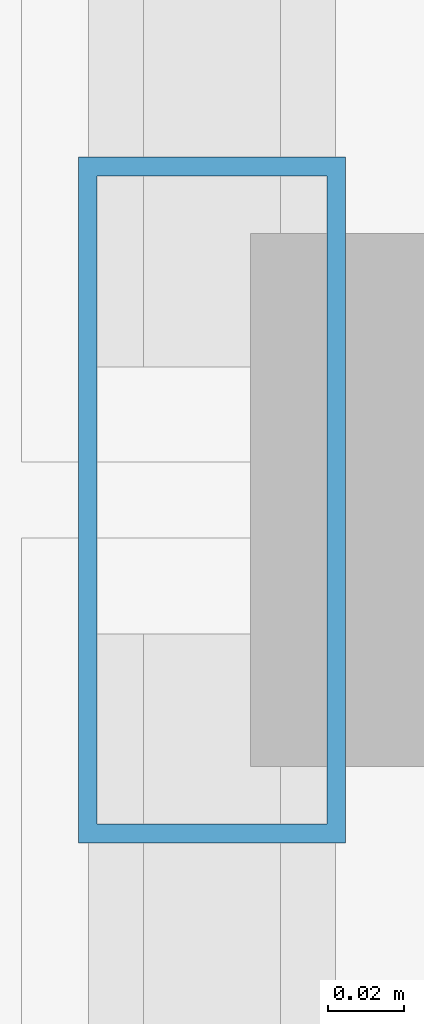
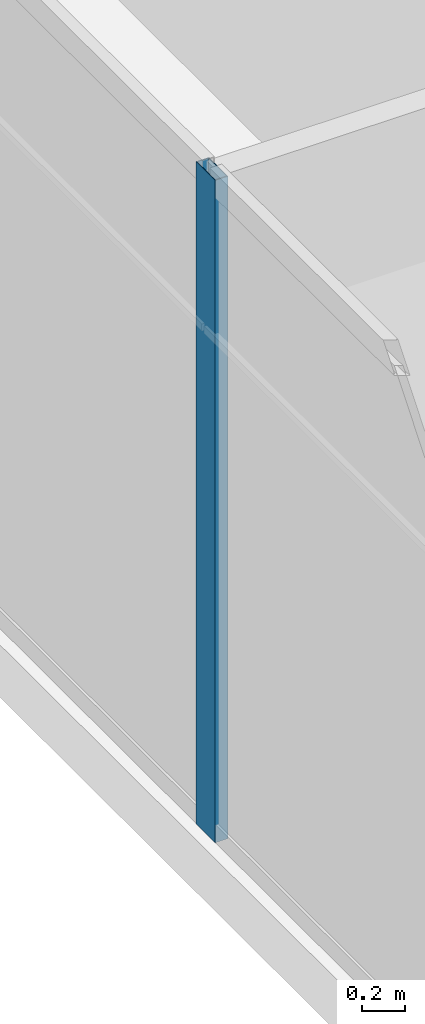
# One storey, part 9 of 36: 1 member, 1 element without a shape of its own.
"""IFC4 building model written with IfcOpenShell, lengths in metres."""

from ifc_helpers import new_model, si_unit, direction, frame, origin, origin_2d, place, context, subcontext, project, spatial, hollow_rectangle, extrude, source, transform, mapped, material, layer, layer_set, material_profile, profile_set, type_object, type_shapes, element, aggregate, save


model = new_model("IFC4")

# Units and contexts
model_context = context("Model", 3, precision=1e-05, world=origin(), true_north=direction((0.0, 1.0)))
body_context = subcontext(model_context, "Body", "Model", "MODEL_VIEW")
ifc_project = project(units=[si_unit("LENGTHUNIT", "METRE"), si_unit("AREAUNIT", "SQUARE_METRE"), si_unit("VOLUMEUNIT", "CUBIC_METRE"), si_unit("PLANEANGLEUNIT", "RADIAN"), si_unit("MASSUNIT", "GRAM", prefix="KILO")], contexts=[model_context])

# Site, building, storey
site_placement = place(None, origin())
site = spatial("IfcSite", under=ifc_project, at=site_placement, CompositionType="ELEMENT")
building_placement = place(site_placement, origin())
building = spatial("IfcBuilding", under=site, at=building_placement, Name="Haelvirn Gate Laboratories", CompositionType="ELEMENT")
storey_placement = place(building_placement, frame((0.0, 0.0, 242.39990234375)))
storey = spatial("IfcBuildingStorey", under=building, at=storey_placement, Name="L58", CompositionType="ELEMENT", Elevation=242.39990234375)

# Curtain wall, member
ifc_material_1 = material(Name="Anodised bronze unitised aluminium & triple low-E glass", Category="aluminium")
ifc_layer = layer(ifc_material_1, 0.176025390625, Name="CW-SYS-4")
ifc_layer_set = layer_set([ifc_layer], Name="Anodised bronze unitised aluminium & triple low-E glass")
curtain_wall_type = type_object("IfcCurtainWallType", Name="CW-SYS-4", PredefinedType="NOTDEFINED", material=ifc_layer_set)
curtain_wall_placement = place(storey_placement, origin())
curtain_wall = element("IfcCurtainWall", 1, at=curtain_wall_placement, inside=storey, type_object=curtain_wall_type, Name="L58 Unitised Curtain Wall CW-L58-P0-E17", PredefinedType="NOTDEFINED")
ifc_material_2 = material(Name="Extruded aluminium 6063-T6 (anodised bronze)", Category="aluminium")
ifc_material_profile = material_profile(ifc_material_2, hollow_rectangle(XDim=0.070068359375, YDim=0.179931640625, WallThickness=0.0048828125, at=origin_2d()), Name="CWM-180x70x5")
ifc_profile_set = profile_set([ifc_material_profile], Name="Extruded aluminium 6063-T6 (anodised bronze)")
member_type = type_object("IfcMemberType", Name="CWM-T180", PredefinedType="MULLION", material=ifc_profile_set)
shared_shape = source(origin(), body_context, "Body", "SweptSolid", [
    extrude(hollow_rectangle(XDim=0.070068359375, YDim=0.179931640625, WallThickness=0.0048828125, at=origin_2d()), origin(), (0.0, 0.0, 1.0), 3.800048828125),
])
type_shapes(member_type, [shared_shape])
member_placement = place(storey_placement, frame((4.10009765625, 24.300048828125, 0.0), z_axis=(0.0, 0.0, 1.0), x_axis=(1.0, 0.0, 0.0)))
member = element("IfcMember", 2, at=member_placement, type_object=member_type, Name="CW4 mullion 2", PredefinedType="MULLION", context=body_context, shape_type="MappedRepresentation", body=[
    mapped(shared_shape, transform((0.0, 0.0, 0.0), scale=1.0)),
])
aggregate(curtain_wall, [member])

save(model, "model.ifc")
